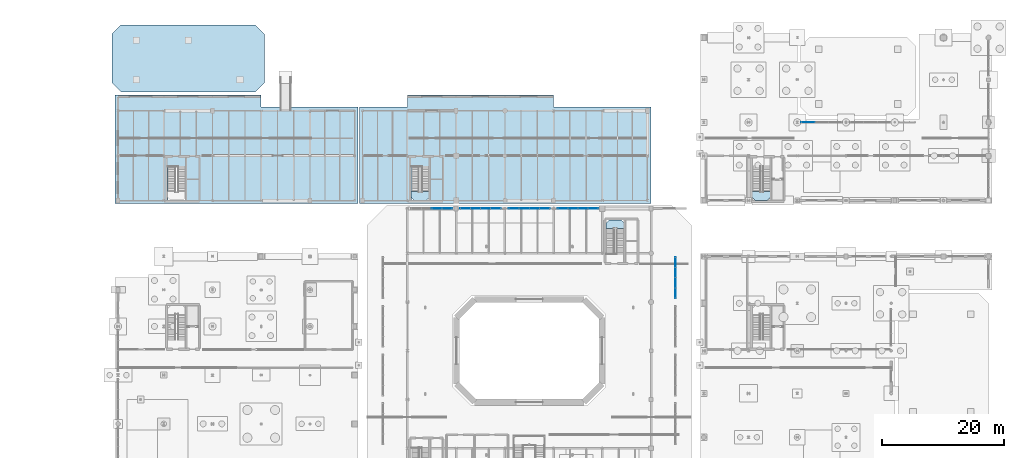
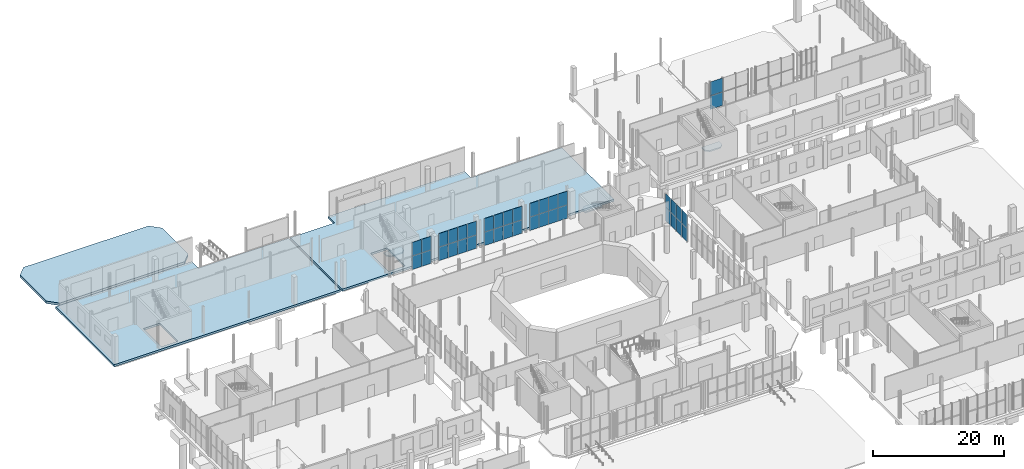
# One storey, part 61 of 87: 38 plates, 6 slabs, 9 elements without a shape of their own.
"""IFC4 building model written with IfcOpenShell, lengths in metres."""

import ifcopenshell
import ifcopenshell.guid

model = None  # the IFC model being written
_history = None  # IfcOwnerHistory: only IFC2X3 demands one
_inside = {}  # id of a spatial element -> (the spatial element, [elements in it])
_under = {}  # id of a project, library or spatial element -> (it, [spatial elements below it])
_declared = {}  # id of a project -> (the project, [libraries it declares])
_typed = {}  # id of a type object -> (the type object, [elements of that type])
_made_of = {}  # id of a material, layer set ... -> (it, [elements and type objects made of it])


def new_model(schema):
    """Start an empty IFC model of exactly this schema.

    Asked for "IFC4X3", IfcOpenShell would pick the latest addendum, in which some entities
    have other attributes; the version numbers below select the first issue.
    IFC2X3 requires an IfcOwnerHistory on every rooted entity: one is made here for all.
    """
    global model, _history
    if schema == "IFC4X3":
        model = ifcopenshell.file(schema_version=(4, 3, 0, 0))
    else:
        model = ifcopenshell.file(schema=schema)
    _inside.clear()
    _under.clear()
    _declared.clear()
    _typed.clear()
    _made_of.clear()
    _history = None
    if model.schema == "IFC2X3":
        org = make("IfcOrganization", Name="unknown")
        user = make(
            "IfcPersonAndOrganization",
            ThePerson=make("IfcPerson", FamilyName="unknown"),
            TheOrganization=org,
        )
        app = make(
            "IfcApplication",
            ApplicationDeveloper=org,
            Version="unknown",
            ApplicationFullName="unknown",
            ApplicationIdentifier="unknown",
        )
        _history = make(
            "IfcOwnerHistory",
            OwningUser=user,
            OwningApplication=app,
            ChangeAction="ADDED",
            CreationDate=0,
        )
    return model


def make(cls, **values):
    """One entity of the class cls with the attributes given. An attribute that is None is left unset."""
    return model.create_entity(
        cls, **{name: value for name, value in values.items() if value is not None}
    )


def rooted(cls, **values):
    """An entity with a GlobalId (a new one), such as an element, a storey or a relation."""
    return make(cls, GlobalId=ifcopenshell.guid.new(), OwnerHistory=_history, **values)


def si_unit(unit_type, name, prefix=None):
    """IfcSIUnit, for example si_unit("LENGTHUNIT", "METRE", prefix="MILLI")."""
    return make("IfcSIUnit", UnitType=unit_type, Prefix=prefix, Name=name)


def assignment(units):
    """IfcUnitAssignment: the units of a project."""
    return None if units is None else make("IfcUnitAssignment", Units=units)


def point(xyz):
    """IfcCartesianPoint."""
    return None if xyz is None else make("IfcCartesianPoint", Coordinates=xyz)


def direction(xyz):
    """IfcDirection."""
    return None if xyz is None else make("IfcDirection", DirectionRatios=xyz)


def frame(location, z_axis=None, x_axis=None):
    """IfcAxis2Placement3D, a coordinate frame: its origin and axes. An axis left out is left unset."""
    return make(
        "IfcAxis2Placement3D",
        Location=point(location),
        Axis=direction(z_axis),
        RefDirection=direction(x_axis),
    )


def frame_2d(location, x_axis=None):
    """IfcAxis2Placement2D, a coordinate frame in the plane: its origin and x axis."""
    return make(
        "IfcAxis2Placement2D", Location=point(location), RefDirection=direction(x_axis)
    )


def origin():
    """The frame at (0, 0, 0) with its axes left unset."""
    return frame((0.0, 0.0, 0.0))


def origin_2d():
    """The frame at (0, 0) in the plane with its x axis left unset."""
    return frame_2d((0.0, 0.0))


def place(relative_to, where):
    """IfcLocalPlacement: puts the frame where relative to a parent placement (None: the world)."""
    return make(
        "IfcLocalPlacement", PlacementRelTo=relative_to, RelativePlacement=where
    )


def context(
    kind, dimensions, precision=None, world=None, true_north=None, identifier=None
):
    """IfcGeometricRepresentationContext, for example the 3D "Model" context."""
    return make(
        "IfcGeometricRepresentationContext",
        ContextIdentifier=identifier,
        ContextType=kind,
        CoordinateSpaceDimension=dimensions,
        Precision=precision,
        WorldCoordinateSystem=world,
        TrueNorth=true_north,
    )


def subcontext(parent, identifier, kind, view, scale=None):
    """IfcGeometricRepresentationSubContext, for example "Body" below "Model"."""
    return make(
        "IfcGeometricRepresentationSubContext",
        ContextIdentifier=identifier,
        ContextType=kind,
        ParentContext=parent,
        TargetScale=scale,
        TargetView=view,
    )


def project(units=None, contexts=None):
    """IfcProject with its units and contexts."""
    return rooted(
        "IfcProject",
        Name="project",
        RepresentationContexts=contexts,
        UnitsInContext=assignment(units),
    )


def spatial(cls, under=None, at=None, **own):
    """A site, building, storey or space (cls), placed at a placement, below another one or the project."""
    s = rooted(cls, ObjectPlacement=at, **own)
    if under is not None:
        _under.setdefault(under.id(), (under, []))[1].append(s)
    return s


def polyline(points):
    """IfcPolyline through the points."""
    return make("IfcPolyline", Points=[point(p) for p in points])


def profile(cls, at=None, kind="AREA", **sizes):
    """A parametric profile (cls). Its sizes go by their IFC names, for example OverallWidth=200.0."""
    return make(cls, ProfileType=kind, Position=at, **sizes)


def rectangle(**sizes):
    """IfcRectangleProfileDef."""
    return profile("IfcRectangleProfileDef", **sizes)


def outline(outer, holes=None, kind="AREA"):
    """IfcArbitraryClosedProfileDef: a profile drawn as a closed curve; with holes, ...WithVoids."""
    if holes is None:
        return make("IfcArbitraryClosedProfileDef", ProfileType=kind, OuterCurve=outer)
    return make(
        "IfcArbitraryProfileDefWithVoids",
        ProfileType=kind,
        OuterCurve=outer,
        InnerCurves=holes,
    )


def extrude(swept, where, along, depth):
    """IfcExtrudedAreaSolid: the profile swept, set in the frame where, extruded along a direction by depth."""
    return make(
        "IfcExtrudedAreaSolid",
        SweptArea=swept,
        Position=where,
        ExtrudedDirection=direction(along),
        Depth=depth,
    )


def shape(context_of_items, identifier, shape_type, items):
    """IfcShapeRepresentation: the items that make up one representation, for example the "Body"."""
    return make(
        "IfcShapeRepresentation",
        ContextOfItems=context_of_items,
        RepresentationIdentifier=identifier,
        RepresentationType=shape_type,
        Items=items,
    )


def material(Name=None, Category=None):
    """IfcMaterial."""
    return make("IfcMaterial", Name=Name, Category=Category)


def layer(
    of_material, thickness, ventilated=None, Name=None, Category=None, Priority=None
):
    """IfcMaterialLayer: one layer of a wall or slab, of a material (None: an air gap)."""
    return make(
        "IfcMaterialLayer",
        Material=of_material,
        LayerThickness=thickness,
        IsVentilated=ventilated,
        Name=Name,
        Category=Category,
        Priority=Priority,
    )


def layer_set(layers, Name=None):
    """IfcMaterialLayerSet."""
    return make("IfcMaterialLayerSet", MaterialLayers=layers, LayerSetName=Name)


def made_of(thing, what):
    """Note that an element or type object is made of a material, layer set ...; save() writes the relation."""
    if what is not None:
        _made_of.setdefault(what.id(), (what, []))[1].append(thing)
    return thing


def type_object(cls, material=None, **own):
    """A type object (cls), such as IfcWallType, which elements share."""
    return made_of(rooted(cls, **own), material)


def element(
    cls,
    number,
    at=None,
    inside=None,
    cuts=None,
    type_object=None,
    material=None,
    context=None,
    identifier="Body",
    shape_type=None,
    held_by="IfcProductDefinitionShape",
    body=None,
    shapes=None,
    **own,
):
    """One element of the class cls, such as IfcWall. Its Tag is "e" and its number.

    at: its placement. inside: the storey or other place that contains it. cuts: it is an
    opening in that element (IfcRelVoidsElement). A single representation is given by context,
    identifier, shape_type and body (its items); several are given by shapes. held_by: the class
    of the entity that holds the representations. save() writes the other relations.
    """
    e = rooted(cls, Tag="e%d" % number, ObjectPlacement=at, **own)
    if body is not None:
        shapes = [shape(context, identifier, shape_type, body)]
    if shapes is not None:
        e.Representation = make(held_by, Representations=shapes)
    if inside is not None:
        _inside.setdefault(inside.id(), (inside, []))[1].append(e)
    if cuts is not None:
        rooted(
            "IfcRelVoidsElement", RelatingBuildingElement=cuts, RelatedOpeningElement=e
        )
    if type_object is not None:
        _typed.setdefault(type_object.id(), (type_object, []))[1].append(e)
    return made_of(e, material)


def aggregate(whole, parts):
    """IfcRelAggregates: a whole, such as a stair, and the parts it consists of."""
    return rooted("IfcRelAggregates", RelatingObject=whole, RelatedObjects=parts)


def save(model, path):
    """Write the relations noted so far, then the file.

    IfcRelAggregates (storeys below a building ...), IfcRelContainedInSpatialStructure (elements
    in a storey), IfcRelDefinesByType, IfcRelAssociatesMaterial and IfcRelDeclares: one each for
    every whole, place, type object, material and project.
    """
    for whole, parts in _under.values():
        aggregate(whole, parts)
    for where, things in _inside.values():
        rooted(
            "IfcRelContainedInSpatialStructure",
            RelatedElements=things,
            RelatingStructure=where,
        )
    for kind, things in _typed.values():
        rooted("IfcRelDefinesByType", RelatedObjects=things, RelatingType=kind)
    for what, things in _made_of.values():
        rooted("IfcRelAssociatesMaterial", RelatedObjects=things, RelatingMaterial=what)
    for by, libraries in _declared.values():
        rooted("IfcRelDeclares", RelatingContext=by, RelatedDefinitions=libraries)
    model.write(path)


model = new_model("IFC4")

# Units and contexts
model_context = context("Model", 3, precision=1e-05, world=origin(), true_north=direction((0.0, 1.0)))
body_context = subcontext(model_context, "Body", "Model", "MODEL_VIEW")
ifc_project = project(units=[si_unit("LENGTHUNIT", "METRE"), si_unit("AREAUNIT", "SQUARE_METRE"), si_unit("VOLUMEUNIT", "CUBIC_METRE"), si_unit("PLANEANGLEUNIT", "RADIAN"), si_unit("MASSUNIT", "GRAM", prefix="KILO")], contexts=[model_context])

# Site, building, storey
site_placement = place(None, origin())
site = spatial("IfcSite", under=ifc_project, at=site_placement, CompositionType="ELEMENT")
building_placement = place(site_placement, origin())
building = spatial("IfcBuilding", under=site, at=building_placement, Name="Brisemont Oceanarium", CompositionType="ELEMENT")
storey_placement = place(building_placement, origin())
storey = spatial("IfcBuildingStorey", under=building, at=storey_placement, Name="L00", CompositionType="ELEMENT", Elevation=0.0)

# Curtain wall, plates
ifc_material_1 = material(Name="Anodized Extruded Aluminum 6063-T6", Category="aluminium")
curtain_wall_type_1 = type_object("IfcCurtainWallType", Name="CW-ROT-69X50", PredefinedType="NOTDEFINED", material=ifc_material_1)
curtain_wall_1_placement = place(storey_placement, origin())
curtain_wall_1 = element("IfcCurtainWall", 1, at=curtain_wall_1_placement, inside=storey, type_object=curtain_wall_type_1, Name="CW-01 curtain wall CW-V1-N-L00-01", PredefinedType="NOTDEFINED")
ifc_material_2 = material(Name="Insulated Low-E Laminated Glass", Category="glass")
ifc_layer_1 = layer(ifc_material_2, 0.028076171875)
ifc_layer_set_1 = layer_set([ifc_layer_1], Name="Insulated Low-E Laminated Glass")
plate_type_1 = type_object("IfcPlateType", Name="PLT-CWP-V1", PredefinedType="CURTAIN_PANEL", material=ifc_layer_set_1)
plate_1_placement = place(storey_placement, frame((68.83740234375, 79.35009765625, 0.00146484375), z_axis=(0.0, 0.0, 1.0), x_axis=(1.0, 0.0, 0.0)))
plate_1 = element("IfcPlate", 2, at=plate_1_placement, type_object=plate_type_1, Name="CW-V1-N-L00-01 panel 3.1", PredefinedType="CURTAIN_PANEL", context=body_context, shape_type="SweptSolid", body=[
    extrude(rectangle(XDim=1.672119140625, YDim=0.028076171875, at=origin_2d()), origin(), (0.0, 0.0, 1.0), 2.527099609375),
])
plate_2_placement = place(storey_placement, frame((68.83740234375, 79.35009765625, 2.53125), z_axis=(0.0, 0.0, 1.0), x_axis=(1.0, 0.0, 0.0)))
plate_2 = element("IfcPlate", 3, at=plate_2_placement, type_object=plate_type_1, Name="CW-V1-N-L00-01 panel 3.2", PredefinedType="CURTAIN_PANEL", context=body_context, shape_type="SweptSolid", body=[
    extrude(rectangle(XDim=1.672119140625, YDim=0.028076171875, at=origin_2d()), origin(), (0.0, 0.0, 1.0), 2.527099609375),
])
plate_3_placement = place(storey_placement, frame((70.512451171875, 79.35009765625, 0.00146484375), z_axis=(0.0, 0.0, 1.0), x_axis=(1.0, 0.0, 0.0)))
plate_3 = element("IfcPlate", 4, at=plate_3_placement, type_object=plate_type_1, Name="CW-V1-N-L00-01 panel 4.1", PredefinedType="CURTAIN_PANEL", context=body_context, shape_type="SweptSolid", body=[
    extrude(rectangle(XDim=1.672119140625, YDim=0.028076171875, at=origin_2d()), origin(), (0.0, 0.0, 1.0), 2.527099609375),
])
plate_4_placement = place(storey_placement, frame((70.512451171875, 79.35009765625, 2.53125), z_axis=(0.0, 0.0, 1.0), x_axis=(1.0, 0.0, 0.0)))
plate_4 = element("IfcPlate", 5, at=plate_4_placement, type_object=plate_type_1, Name="CW-V1-N-L00-01 panel 4.2", PredefinedType="CURTAIN_PANEL", context=body_context, shape_type="SweptSolid", body=[
    extrude(rectangle(XDim=1.672119140625, YDim=0.028076171875, at=origin_2d()), origin(), (0.0, 0.0, 1.0), 2.527099609375),
])
aggregate(curtain_wall_1, [plate_1, plate_2, plate_3, plate_4])

curtain_wall_2_placement = place(storey_placement, origin())
curtain_wall_2 = element("IfcCurtainWall", 6, at=curtain_wall_2_placement, inside=storey, type_object=curtain_wall_type_1, Name="CW-01 curtain wall CW-V1-N-L00-02", PredefinedType="NOTDEFINED")
plate_5_placement = place(storey_placement, frame((73.487548828125, 79.35009765625, 0.00146484375), z_axis=(0.0, 0.0, 1.0), x_axis=(1.0, 0.0, 0.0)))
plate_5 = element("IfcPlate", 7, at=plate_5_placement, type_object=plate_type_1, Name="CW-V1-N-L00-02 panel 1.1", PredefinedType="CURTAIN_PANEL", context=body_context, shape_type="SweptSolid", body=[
    extrude(rectangle(XDim=1.672119140625, YDim=0.028076171875, at=origin_2d()), origin(), (0.0, 0.0, 1.0), 2.527099609375),
])
plate_6_placement = place(storey_placement, frame((73.487548828125, 79.35009765625, 2.53125), z_axis=(0.0, 0.0, 1.0), x_axis=(1.0, 0.0, 0.0)))
plate_6 = element("IfcPlate", 8, at=plate_6_placement, type_object=plate_type_1, Name="CW-V1-N-L00-02 panel 1.2", PredefinedType="CURTAIN_PANEL", context=body_context, shape_type="SweptSolid", body=[
    extrude(rectangle(XDim=1.672119140625, YDim=0.028076171875, at=origin_2d()), origin(), (0.0, 0.0, 1.0), 2.527099609375),
])
plate_7_placement = place(storey_placement, frame((75.16259765625, 79.35009765625, 0.00146484375), z_axis=(0.0, 0.0, 1.0), x_axis=(1.0, 0.0, 0.0)))
plate_7 = element("IfcPlate", 9, at=plate_7_placement, type_object=plate_type_1, Name="CW-V1-N-L00-02 panel 2.1", PredefinedType="CURTAIN_PANEL", context=body_context, shape_type="SweptSolid", body=[
    extrude(rectangle(XDim=1.672119140625, YDim=0.028076171875, at=origin_2d()), origin(), (0.0, 0.0, 1.0), 2.527099609375),
])
plate_8_placement = place(storey_placement, frame((75.16259765625, 79.35009765625, 2.53125), z_axis=(0.0, 0.0, 1.0), x_axis=(1.0, 0.0, 0.0)))
plate_8 = element("IfcPlate", 10, at=plate_8_placement, type_object=plate_type_1, Name="CW-V1-N-L00-02 panel 2.2", PredefinedType="CURTAIN_PANEL", context=body_context, shape_type="SweptSolid", body=[
    extrude(rectangle(XDim=1.672119140625, YDim=0.028076171875, at=origin_2d()), origin(), (0.0, 0.0, 1.0), 2.527099609375),
])
plate_9_placement = place(storey_placement, frame((76.83740234375, 79.35009765625, 0.00146484375), z_axis=(0.0, 0.0, 1.0), x_axis=(1.0, 0.0, 0.0)))
plate_9 = element("IfcPlate", 11, at=plate_9_placement, type_object=plate_type_1, Name="CW-V1-N-L00-02 panel 3.1", PredefinedType="CURTAIN_PANEL", context=body_context, shape_type="SweptSolid", body=[
    extrude(rectangle(XDim=1.672119140625, YDim=0.028076171875, at=origin_2d()), origin(), (0.0, 0.0, 1.0), 2.527099609375),
])
plate_10_placement = place(storey_placement, frame((76.83740234375, 79.35009765625, 2.53125), z_axis=(0.0, 0.0, 1.0), x_axis=(1.0, 0.0, 0.0)))
plate_10 = element("IfcPlate", 12, at=plate_10_placement, type_object=plate_type_1, Name="CW-V1-N-L00-02 panel 3.2", PredefinedType="CURTAIN_PANEL", context=body_context, shape_type="SweptSolid", body=[
    extrude(rectangle(XDim=1.672119140625, YDim=0.028076171875, at=origin_2d()), origin(), (0.0, 0.0, 1.0), 2.527099609375),
])
plate_11_placement = place(storey_placement, frame((78.512451171875, 79.35009765625, 0.00146484375), z_axis=(0.0, 0.0, 1.0), x_axis=(1.0, 0.0, 0.0)))
plate_11 = element("IfcPlate", 13, at=plate_11_placement, type_object=plate_type_1, Name="CW-V1-N-L00-02 panel 4.1", PredefinedType="CURTAIN_PANEL", context=body_context, shape_type="SweptSolid", body=[
    extrude(rectangle(XDim=1.672119140625, YDim=0.028076171875, at=origin_2d()), origin(), (0.0, 0.0, 1.0), 2.527099609375),
])
plate_12_placement = place(storey_placement, frame((78.512451171875, 79.35009765625, 2.53125), z_axis=(0.0, 0.0, 1.0), x_axis=(1.0, 0.0, 0.0)))
plate_12 = element("IfcPlate", 14, at=plate_12_placement, type_object=plate_type_1, Name="CW-V1-N-L00-02 panel 4.2", PredefinedType="CURTAIN_PANEL", context=body_context, shape_type="SweptSolid", body=[
    extrude(rectangle(XDim=1.672119140625, YDim=0.028076171875, at=origin_2d()), origin(), (0.0, 0.0, 1.0), 2.527099609375),
])
aggregate(curtain_wall_2, [plate_5, plate_6, plate_7, plate_8, plate_9, plate_10, plate_11, plate_12])

curtain_wall_3_placement = place(storey_placement, origin())
curtain_wall_3 = element("IfcCurtainWall", 15, at=curtain_wall_3_placement, inside=storey, type_object=curtain_wall_type_1, Name="CW-01 curtain wall CW-V1-N-L00-03", PredefinedType="NOTDEFINED")
plate_13_placement = place(storey_placement, frame((81.487548828125, 79.35009765625, 0.00146484375), z_axis=(0.0, 0.0, 1.0), x_axis=(1.0, 0.0, 0.0)))
plate_13 = element("IfcPlate", 16, at=plate_13_placement, type_object=plate_type_1, Name="CW-V1-N-L00-03 panel 1.1", PredefinedType="CURTAIN_PANEL", context=body_context, shape_type="SweptSolid", body=[
    extrude(rectangle(XDim=1.672119140625, YDim=0.028076171875, at=origin_2d()), origin(), (0.0, 0.0, 1.0), 2.527099609375),
])
plate_14_placement = place(storey_placement, frame((81.487548828125, 79.35009765625, 2.53125), z_axis=(0.0, 0.0, 1.0), x_axis=(1.0, 0.0, 0.0)))
plate_14 = element("IfcPlate", 17, at=plate_14_placement, type_object=plate_type_1, Name="CW-V1-N-L00-03 panel 1.2", PredefinedType="CURTAIN_PANEL", context=body_context, shape_type="SweptSolid", body=[
    extrude(rectangle(XDim=1.672119140625, YDim=0.028076171875, at=origin_2d()), origin(), (0.0, 0.0, 1.0), 2.527099609375),
])
plate_15_placement = place(storey_placement, frame((83.16259765625, 79.35009765625, 0.00146484375), z_axis=(0.0, 0.0, 1.0), x_axis=(1.0, 0.0, 0.0)))
plate_15 = element("IfcPlate", 18, at=plate_15_placement, type_object=plate_type_1, Name="CW-V1-N-L00-03 panel 2.1", PredefinedType="CURTAIN_PANEL", context=body_context, shape_type="SweptSolid", body=[
    extrude(rectangle(XDim=1.672119140625, YDim=0.028076171875, at=origin_2d()), origin(), (0.0, 0.0, 1.0), 2.527099609375),
])
plate_16_placement = place(storey_placement, frame((83.16259765625, 79.35009765625, 2.53125), z_axis=(0.0, 0.0, 1.0), x_axis=(1.0, 0.0, 0.0)))
plate_16 = element("IfcPlate", 19, at=plate_16_placement, type_object=plate_type_1, Name="CW-V1-N-L00-03 panel 2.2", PredefinedType="CURTAIN_PANEL", context=body_context, shape_type="SweptSolid", body=[
    extrude(rectangle(XDim=1.672119140625, YDim=0.028076171875, at=origin_2d()), origin(), (0.0, 0.0, 1.0), 2.527099609375),
])
plate_17_placement = place(storey_placement, frame((84.83740234375, 79.35009765625, 0.00146484375), z_axis=(0.0, 0.0, 1.0), x_axis=(1.0, 0.0, 0.0)))
plate_17 = element("IfcPlate", 20, at=plate_17_placement, type_object=plate_type_1, Name="CW-V1-N-L00-03 panel 3.1", PredefinedType="CURTAIN_PANEL", context=body_context, shape_type="SweptSolid", body=[
    extrude(rectangle(XDim=1.672119140625, YDim=0.028076171875, at=origin_2d()), origin(), (0.0, 0.0, 1.0), 2.527099609375),
])
plate_18_placement = place(storey_placement, frame((84.83740234375, 79.35009765625, 2.53125), z_axis=(0.0, 0.0, 1.0), x_axis=(1.0, 0.0, 0.0)))
plate_18 = element("IfcPlate", 21, at=plate_18_placement, type_object=plate_type_1, Name="CW-V1-N-L00-03 panel 3.2", PredefinedType="CURTAIN_PANEL", context=body_context, shape_type="SweptSolid", body=[
    extrude(rectangle(XDim=1.672119140625, YDim=0.028076171875, at=origin_2d()), origin(), (0.0, 0.0, 1.0), 2.527099609375),
])
plate_19_placement = place(storey_placement, frame((86.512451171875, 79.35009765625, 0.00146484375), z_axis=(0.0, 0.0, 1.0), x_axis=(1.0, 0.0, 0.0)))
plate_19 = element("IfcPlate", 22, at=plate_19_placement, type_object=plate_type_1, Name="CW-V1-N-L00-03 panel 4.1", PredefinedType="CURTAIN_PANEL", context=body_context, shape_type="SweptSolid", body=[
    extrude(rectangle(XDim=1.672119140625, YDim=0.028076171875, at=origin_2d()), origin(), (0.0, 0.0, 1.0), 2.527099609375),
])
plate_20_placement = place(storey_placement, frame((86.512451171875, 79.35009765625, 2.53125), z_axis=(0.0, 0.0, 1.0), x_axis=(1.0, 0.0, 0.0)))
plate_20 = element("IfcPlate", 23, at=plate_20_placement, type_object=plate_type_1, Name="CW-V1-N-L00-03 panel 4.2", PredefinedType="CURTAIN_PANEL", context=body_context, shape_type="SweptSolid", body=[
    extrude(rectangle(XDim=1.672119140625, YDim=0.028076171875, at=origin_2d()), origin(), (0.0, 0.0, 1.0), 2.527099609375),
])
aggregate(curtain_wall_3, [plate_13, plate_14, plate_15, plate_16, plate_17, plate_18, plate_19, plate_20])

curtain_wall_4_placement = place(storey_placement, origin())
curtain_wall_4 = element("IfcCurtainWall", 24, at=curtain_wall_4_placement, inside=storey, type_object=curtain_wall_type_1, Name="CW-01 curtain wall CW-V1-N-L00-04", PredefinedType="NOTDEFINED")
plate_21_placement = place(storey_placement, frame((89.487548828125, 79.35009765625, 0.00146484375), z_axis=(0.0, 0.0, 1.0), x_axis=(1.0, 0.0, 0.0)))
plate_21 = element("IfcPlate", 25, at=plate_21_placement, type_object=plate_type_1, Name="CW-V1-N-L00-04 panel 1.1", PredefinedType="CURTAIN_PANEL", context=body_context, shape_type="SweptSolid", body=[
    extrude(rectangle(XDim=1.672119140625, YDim=0.028076171875, at=origin_2d()), origin(), (0.0, 0.0, 1.0), 2.527099609375),
])
plate_22_placement = place(storey_placement, frame((89.487548828125, 79.35009765625, 2.53125), z_axis=(0.0, 0.0, 1.0), x_axis=(1.0, 0.0, 0.0)))
plate_22 = element("IfcPlate", 26, at=plate_22_placement, type_object=plate_type_1, Name="CW-V1-N-L00-04 panel 1.2", PredefinedType="CURTAIN_PANEL", context=body_context, shape_type="SweptSolid", body=[
    extrude(rectangle(XDim=1.672119140625, YDim=0.028076171875, at=origin_2d()), origin(), (0.0, 0.0, 1.0), 2.527099609375),
])
plate_23_placement = place(storey_placement, frame((91.16259765625, 79.35009765625, 0.00146484375), z_axis=(0.0, 0.0, 1.0), x_axis=(1.0, 0.0, 0.0)))
plate_23 = element("IfcPlate", 27, at=plate_23_placement, type_object=plate_type_1, Name="CW-V1-N-L00-04 panel 2.1", PredefinedType="CURTAIN_PANEL", context=body_context, shape_type="SweptSolid", body=[
    extrude(rectangle(XDim=1.672119140625, YDim=0.028076171875, at=origin_2d()), origin(), (0.0, 0.0, 1.0), 2.527099609375),
])
plate_24_placement = place(storey_placement, frame((91.16259765625, 79.35009765625, 2.53125), z_axis=(0.0, 0.0, 1.0), x_axis=(1.0, 0.0, 0.0)))
plate_24 = element("IfcPlate", 28, at=plate_24_placement, type_object=plate_type_1, Name="CW-V1-N-L00-04 panel 2.2", PredefinedType="CURTAIN_PANEL", context=body_context, shape_type="SweptSolid", body=[
    extrude(rectangle(XDim=1.672119140625, YDim=0.028076171875, at=origin_2d()), origin(), (0.0, 0.0, 1.0), 2.527099609375),
])
plate_25_placement = place(storey_placement, frame((92.83740234375, 79.35009765625, 0.00146484375), z_axis=(0.0, 0.0, 1.0), x_axis=(1.0, 0.0, 0.0)))
plate_25 = element("IfcPlate", 29, at=plate_25_placement, type_object=plate_type_1, Name="CW-V1-N-L00-04 panel 3.1", PredefinedType="CURTAIN_PANEL", context=body_context, shape_type="SweptSolid", body=[
    extrude(rectangle(XDim=1.672119140625, YDim=0.028076171875, at=origin_2d()), origin(), (0.0, 0.0, 1.0), 2.527099609375),
])
plate_26_placement = place(storey_placement, frame((92.83740234375, 79.35009765625, 2.53125), z_axis=(0.0, 0.0, 1.0), x_axis=(1.0, 0.0, 0.0)))
plate_26 = element("IfcPlate", 30, at=plate_26_placement, type_object=plate_type_1, Name="CW-V1-N-L00-04 panel 3.2", PredefinedType="CURTAIN_PANEL", context=body_context, shape_type="SweptSolid", body=[
    extrude(rectangle(XDim=1.672119140625, YDim=0.028076171875, at=origin_2d()), origin(), (0.0, 0.0, 1.0), 2.527099609375),
])
plate_27_placement = place(storey_placement, frame((94.512451171875, 79.35009765625, 0.00146484375), z_axis=(0.0, 0.0, 1.0), x_axis=(1.0, 0.0, 0.0)))
plate_27 = element("IfcPlate", 31, at=plate_27_placement, type_object=plate_type_1, Name="CW-V1-N-L00-04 panel 4.1", PredefinedType="CURTAIN_PANEL", context=body_context, shape_type="SweptSolid", body=[
    extrude(rectangle(XDim=1.672119140625, YDim=0.028076171875, at=origin_2d()), origin(), (0.0, 0.0, 1.0), 2.527099609375),
])
plate_28_placement = place(storey_placement, frame((94.512451171875, 79.35009765625, 2.53125), z_axis=(0.0, 0.0, 1.0), x_axis=(1.0, 0.0, 0.0)))
plate_28 = element("IfcPlate", 32, at=plate_28_placement, type_object=plate_type_1, Name="CW-V1-N-L00-04 panel 4.2", PredefinedType="CURTAIN_PANEL", context=body_context, shape_type="SweptSolid", body=[
    extrude(rectangle(XDim=1.672119140625, YDim=0.028076171875, at=origin_2d()), origin(), (0.0, 0.0, 1.0), 2.527099609375),
])
aggregate(curtain_wall_4, [plate_21, plate_22, plate_23, plate_24, plate_25, plate_26, plate_27, plate_28])

curtain_wall_5_placement = place(storey_placement, origin())
curtain_wall_5 = element("IfcCurtainWall", 33, at=curtain_wall_5_placement, inside=storey, type_object=curtain_wall_type_1, Name="CW-01 curtain wall CW-V1-E-L00-04", PredefinedType="NOTDEFINED")
plate_29_placement = place(storey_placement, frame((108.0, 65.487548828125, 0.00146484375), z_axis=(0.0, 0.0, 1.0), x_axis=(0.0, 1.0, 0.0)))
plate_29 = element("IfcPlate", 34, at=plate_29_placement, type_object=plate_type_1, Name="CW-V1-E-L00-04 panel 1.1", PredefinedType="CURTAIN_PANEL", context=body_context, shape_type="SweptSolid", body=[
    extrude(rectangle(XDim=1.672119140625, YDim=0.028076171875, at=origin_2d()), origin(), (0.0, 0.0, 1.0), 2.527099609375),
])
plate_30_placement = place(storey_placement, frame((108.0, 65.487548828125, 2.53125), z_axis=(0.0, 0.0, 1.0), x_axis=(0.0, 1.0, 0.0)))
plate_30 = element("IfcPlate", 35, at=plate_30_placement, type_object=plate_type_1, Name="CW-V1-E-L00-04 panel 1.2", PredefinedType="CURTAIN_PANEL", context=body_context, shape_type="SweptSolid", body=[
    extrude(rectangle(XDim=1.672119140625, YDim=0.028076171875, at=origin_2d()), origin(), (0.0, 0.0, 1.0), 2.527099609375),
])
plate_31_placement = place(storey_placement, frame((108.0, 67.16259765625, 0.00146484375), z_axis=(0.0, 0.0, 1.0), x_axis=(0.0, 1.0, 0.0)))
plate_31 = element("IfcPlate", 36, at=plate_31_placement, type_object=plate_type_1, Name="CW-V1-E-L00-04 panel 2.1", PredefinedType="CURTAIN_PANEL", context=body_context, shape_type="SweptSolid", body=[
    extrude(rectangle(XDim=1.672119140625, YDim=0.028076171875, at=origin_2d()), origin(), (0.0, 0.0, 1.0), 2.527099609375),
])
plate_32_placement = place(storey_placement, frame((108.0, 67.16259765625, 2.53125), z_axis=(0.0, 0.0, 1.0), x_axis=(0.0, 1.0, 0.0)))
plate_32 = element("IfcPlate", 37, at=plate_32_placement, type_object=plate_type_1, Name="CW-V1-E-L00-04 panel 2.2", PredefinedType="CURTAIN_PANEL", context=body_context, shape_type="SweptSolid", body=[
    extrude(rectangle(XDim=1.672119140625, YDim=0.028076171875, at=origin_2d()), origin(), (0.0, 0.0, 1.0), 2.527099609375),
])
plate_33_placement = place(storey_placement, frame((108.0, 68.83740234375, 0.00146484375), z_axis=(0.0, 0.0, 1.0), x_axis=(0.0, 1.0, 0.0)))
plate_33 = element("IfcPlate", 38, at=plate_33_placement, type_object=plate_type_1, Name="CW-V1-E-L00-04 panel 3.1", PredefinedType="CURTAIN_PANEL", context=body_context, shape_type="SweptSolid", body=[
    extrude(rectangle(XDim=1.672119140625, YDim=0.028076171875, at=origin_2d()), origin(), (0.0, 0.0, 1.0), 2.527099609375),
])
plate_34_placement = place(storey_placement, frame((108.0, 68.83740234375, 2.53125), z_axis=(0.0, 0.0, 1.0), x_axis=(0.0, 1.0, 0.0)))
plate_34 = element("IfcPlate", 39, at=plate_34_placement, type_object=plate_type_1, Name="CW-V1-E-L00-04 panel 3.2", PredefinedType="CURTAIN_PANEL", context=body_context, shape_type="SweptSolid", body=[
    extrude(rectangle(XDim=1.672119140625, YDim=0.028076171875, at=origin_2d()), origin(), (0.0, 0.0, 1.0), 2.527099609375),
])
plate_35_placement = place(storey_placement, frame((108.0, 70.512451171875, 0.00146484375), z_axis=(0.0, 0.0, 1.0), x_axis=(0.0, 1.0, 0.0)))
plate_35 = element("IfcPlate", 40, at=plate_35_placement, type_object=plate_type_1, Name="CW-V1-E-L00-04 panel 4.1", PredefinedType="CURTAIN_PANEL", context=body_context, shape_type="SweptSolid", body=[
    extrude(rectangle(XDim=1.672119140625, YDim=0.028076171875, at=origin_2d()), origin(), (0.0, 0.0, 1.0), 2.527099609375),
])
plate_36_placement = place(storey_placement, frame((108.0, 70.512451171875, 2.53125), z_axis=(0.0, 0.0, 1.0), x_axis=(0.0, 1.0, 0.0)))
plate_36 = element("IfcPlate", 41, at=plate_36_placement, type_object=plate_type_1, Name="CW-V1-E-L00-04 panel 4.2", PredefinedType="CURTAIN_PANEL", context=body_context, shape_type="SweptSolid", body=[
    extrude(rectangle(XDim=1.672119140625, YDim=0.028076171875, at=origin_2d()), origin(), (0.0, 0.0, 1.0), 2.527099609375),
])
aggregate(curtain_wall_5, [plate_29, plate_30, plate_31, plate_32, plate_33, plate_34, plate_35, plate_36])

ifc_material_3 = material(Name="Anodized Extruded Aluminum 6063-T6", Category="aluminium")
curtain_wall_type_2 = type_object("IfcCurtainWallType", Name="CW-RES-52X41", PredefinedType="NOTDEFINED", material=ifc_material_3)
curtain_wall_6_placement = place(storey_placement, origin())
curtain_wall_6 = element("IfcCurtainWall", 42, at=curtain_wall_6_placement, inside=storey, type_object=curtain_wall_type_2, Name="CW-18 curtain wall CW-V6-CL-L00-01", PredefinedType="NOTDEFINED")
ifc_material_4 = material(Name="Insulated Low-E Laminated Glass", Category="glass")
ifc_layer_2 = layer(ifc_material_4, 0.02587890625)
ifc_layer_set_2 = layer_set([ifc_layer_2], Name="Insulated Low-E Laminated Glass")
plate_type_2 = type_object("IfcPlateType", Name="PLT-CWP-V10", PredefinedType="CURTAIN_PANEL", material=ifc_layer_set_2)
plate_37_placement = place(storey_placement, frame((129.7666015625, 93.5, 0.00146484375), z_axis=(0.0, 0.0, 1.0), x_axis=(1.0, 0.0, 0.0)))
plate_37 = element("IfcPlate", 43, at=plate_37_placement, type_object=plate_type_2, Name="CW-V6-CL-L00-01 panel 1.1", PredefinedType="CURTAIN_PANEL", context=body_context, shape_type="SweptSolid", body=[
    extrude(rectangle(XDim=2.230224609375, YDim=0.02587890625, at=origin_2d()), origin(), (0.0, 0.0, 1.0), 2.547119140625),
])
plate_38_placement = place(storey_placement, frame((129.7666015625, 93.5, 2.55126953125), z_axis=(0.0, 0.0, 1.0), x_axis=(1.0, 0.0, 0.0)))
plate_38 = element("IfcPlate", 44, at=plate_38_placement, type_object=plate_type_2, Name="CW-V6-CL-L00-01 panel 1.2", PredefinedType="CURTAIN_PANEL", context=body_context, shape_type="SweptSolid", body=[
    extrude(rectangle(XDim=2.230224609375, YDim=0.02587890625, at=origin_2d()), origin(), (0.0, 0.0, 1.0), 2.547119140625),
])
aggregate(curtain_wall_6, [plate_37, plate_38])

# Slabs
ifc_material_5 = material(Name="Concrete C40/50", Category="concrete")
ifc_layer_3 = layer(ifc_material_5, 0.4599609375)
ifc_layer_set_3 = layer_set([ifc_layer_3], Name="Concrete C40/50")
slab_type_1 = type_object("IfcSlabType", Name="SLB-BASE-460", PredefinedType="BASESLAB", material=ifc_layer_set_3)
slab_1_placement = place(storey_placement, frame((0.0, 0.0, -0.4599609375)))
element("IfcSlab", 45, at=slab_1_placement, inside=storey, type_object=slab_type_1, Name="V7W L00 baseslab slab", PredefinedType="BASESLAB", context=body_context, shape_type="SweptSolid", body=[
    extrude(outline(polyline([(17.0, 98.5), (39.0, 98.5), (40.5, 100.0), (40.5, 108.0), (39.0, 109.5), (17.0, 109.5), (15.5, 108.0), (15.5, 100.0), (17.0, 98.5)])), origin(), (0.0, 0.0, 1.0), 0.4599609375),
])
ifc_material_6 = material(Name="Concrete C40/50", Category="concrete")
ifc_layer_4 = layer(ifc_material_6, 0.3798828125)
ifc_layer_set_4 = layer_set([ifc_layer_4], Name="Concrete C40/50")
slab_type_2 = type_object("IfcSlabType", Name="SLB-FLR-380", PredefinedType="FLOOR", material=ifc_layer_set_4)
slab_2_placement = place(storey_placement, frame((0.0, 0.0, -0.3798828125)))
element("IfcSlab", 46, at=slab_2_placement, inside=storey, type_object=slab_type_2, Name="V7W L00 floor slab", PredefinedType="FLOOR", context=body_context, shape_type="SweptSolid", body=[
    extrude(outline(polyline([(16.0, 80.14990234375), (55.85009765625, 80.14990234375), (55.85009765625, 96.0), (40.0, 96.0), (40.0, 98.0), (16.0, 98.0), (16.0, 80.14990234375)]), holes=[polyline([(24.669921875, 80.719970703125), (27.570068359375, 80.719970703125), (27.570068359375, 86.260009765625), (24.669921875, 86.260009765625), (24.669921875, 80.719970703125)])]), origin(), (0.0, 0.0, 1.0), 0.3798828125),
])
slab_3_placement = place(storey_placement, frame((0.0, 0.0, -0.3798828125)))
element("IfcSlab", 47, at=slab_3_placement, inside=storey, type_object=slab_type_2, Name="V7E L00 floor slab", PredefinedType="FLOOR", context=body_context, shape_type="SweptSolid", body=[
    extrude(outline(polyline([(56.14990234375, 80.14990234375), (104.0, 80.14990234375), (104.0, 96.0), (88.0, 96.0), (88.0, 98.0), (64.0, 98.0), (64.0, 96.0), (56.14990234375, 96.0), (56.14990234375, 80.14990234375)]), holes=[polyline([(64.669921875, 80.719970703125), (67.570068359375, 80.719970703125), (67.570068359375, 86.260009765625), (64.669921875, 86.260009765625), (64.669921875, 80.719970703125)])]), origin(), (0.0, 0.0, 1.0), 0.3798828125),
])

# Stair, slab
ifc_material_7 = material(Name="Concrete C40/50", Category="concrete")
stair_type_1 = type_object("IfcStairType", Name="STR-CORE-124-54", PredefinedType="HALF_TURN_STAIR", material=ifc_material_7)
stair_1_placement = place(storey_placement, origin())
stair_1 = element("IfcStair", 48, at=stair_1_placement, inside=storey, type_object=stair_type_1, Name="Exit stair ST-02 L00 to L01", PredefinedType="HALF_TURN_STAIR")
ifc_material_8 = material(Name="Concrete C40/50", Category="concrete")
ifc_layer_5 = layer(ifc_material_8, 0.219970703125)
ifc_layer_set_5 = layer_set([ifc_layer_5], Name="Concrete C40/50")
slab_type_3 = type_object("IfcSlabType", Name="SLB-LANDING-220", PredefinedType="LANDING", material=ifc_layer_set_5)
slab_4_placement = place(storey_placement, frame((0.0, 0.0, 2.47998046875)))
slab_4 = element("IfcSlab", 49, at=slab_4_placement, type_object=slab_type_3, Name="ST-02 L00 half-landing", PredefinedType="LANDING", context=body_context, shape_type="SweptSolid", body=[
    extrude(outline(polyline([(96.570068359375, 76.0400390625), (99.64990234375, 76.0400390625), (99.64990234375, 76.919921875), (99.10009765625, 77.469970703125), (97.1201171875, 77.469970703125), (96.570068359375, 76.919921875), (96.570068359375, 76.0400390625)])), origin(), (0.0, 0.0, 1.0), 0.219970703125),
])
aggregate(stair_1, [slab_4])

stair_2_placement = place(storey_placement, origin())
stair_2 = element("IfcStair", 50, at=stair_2_placement, inside=storey, type_object=stair_type_1, Name="Exit stair ST-07 L00 to L01", PredefinedType="HALF_TURN_STAIR")
slab_5_placement = place(storey_placement, frame((0.0, 0.0, 2.47998046875)))
slab_5 = element("IfcSlab", 51, at=slab_5_placement, type_object=slab_type_3, Name="ST-07 L00 half-landing", PredefinedType="LANDING", context=body_context, shape_type="SweptSolid", body=[
    extrude(outline(polyline([(121.1201171875, 80.679931640625), (123.10009765625, 80.679931640625), (123.64990234375, 81.22998046875), (123.64990234375, 82.110107421875), (120.570068359375, 82.110107421875), (120.570068359375, 81.22998046875), (121.1201171875, 80.679931640625)])), origin(), (0.0, 0.0, 1.0), 0.219970703125),
])
aggregate(stair_2, [slab_5])

ifc_material_9 = material(Name="Concrete C40/50", Category="concrete")
stair_type_2 = type_object("IfcStairType", Name="STR-CORE-120-54", PredefinedType="HALF_TURN_STAIR", material=ifc_material_9)
stair_3_placement = place(storey_placement, origin())
stair_3 = element("IfcStair", 52, at=stair_3_placement, inside=storey, type_object=stair_type_2, Name="Exit stair ST-08 L00 to L01", PredefinedType="HALF_TURN_STAIR")
slab_6_placement = place(storey_placement, frame((0.0, 0.0, 2.47998046875)))
slab_6 = element("IfcSlab", 53, at=slab_6_placement, type_object=slab_type_3, Name="ST-08 L00 half-landing", PredefinedType="LANDING", context=body_context, shape_type="SweptSolid", body=[
    extrude(outline(polyline([(65.1201171875, 80.679931640625), (67.10009765625, 80.679931640625), (67.64990234375, 81.22998046875), (67.64990234375, 82.110107421875), (64.570068359375, 82.110107421875), (64.570068359375, 81.22998046875), (65.1201171875, 80.679931640625)])), origin(), (0.0, 0.0, 1.0), 0.219970703125),
])
aggregate(stair_3, [slab_6])

save(model, "model.ifc")
